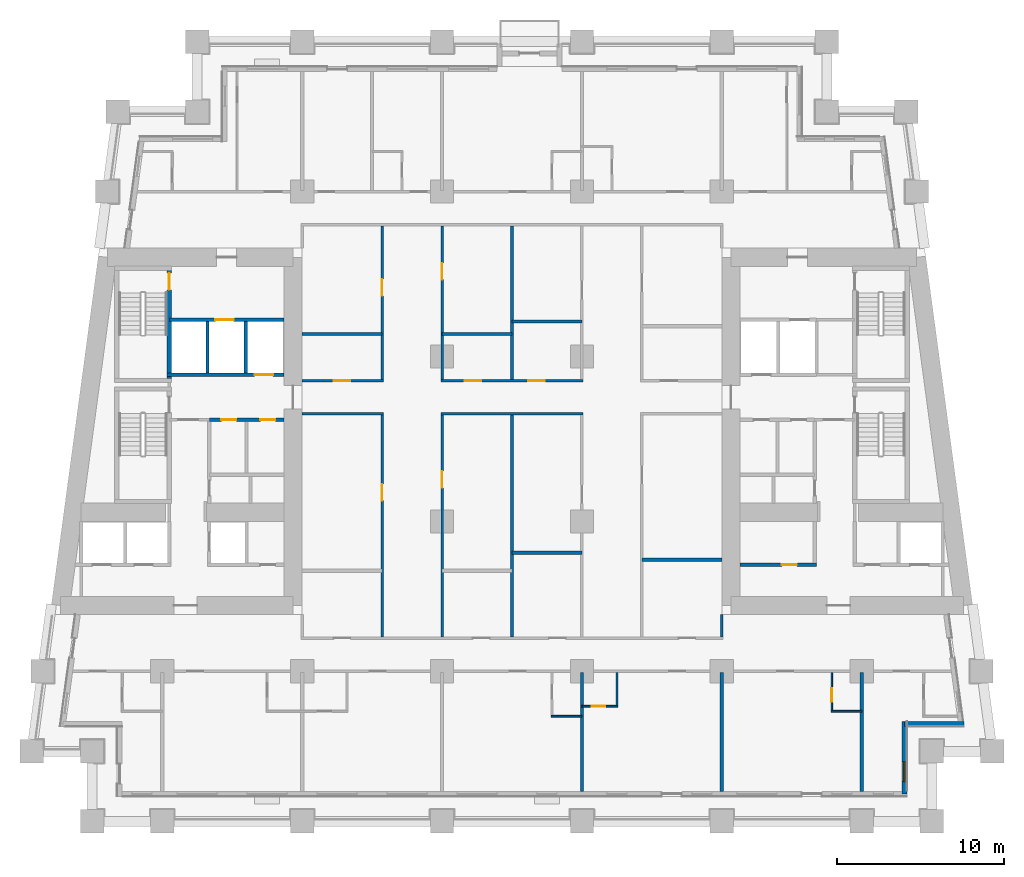
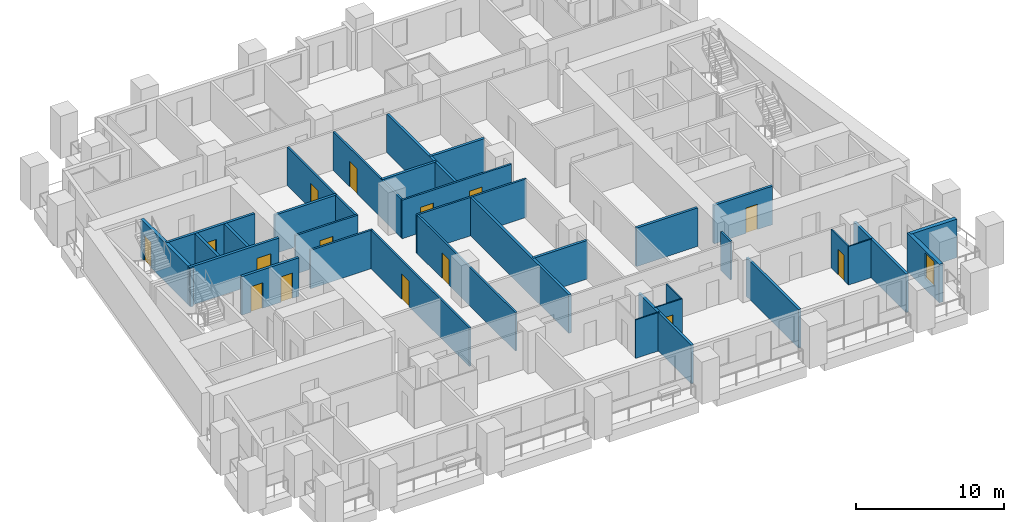
# One storey, part 4 of 13: 33 walls, 15 doors, 1 window, 16 openings.
"""IFC4 building model written with IfcOpenShell, lengths in metres."""

import ifcopenshell
import ifcopenshell.guid

model = None  # the IFC model being written
_history = None  # IfcOwnerHistory: only IFC2X3 demands one
_inside = {}  # id of a spatial element -> (the spatial element, [elements in it])
_under = {}  # id of a project, library or spatial element -> (it, [spatial elements below it])
_declared = {}  # id of a project -> (the project, [libraries it declares])
_typed = {}  # id of a type object -> (the type object, [elements of that type])
_made_of = {}  # id of a material, layer set ... -> (it, [elements and type objects made of it])


def new_model(schema):
    """Start an empty IFC model of exactly this schema.

    Asked for "IFC4X3", IfcOpenShell would pick the latest addendum, in which some entities
    have other attributes; the version numbers below select the first issue.
    IFC2X3 requires an IfcOwnerHistory on every rooted entity: one is made here for all.
    """
    global model, _history
    if schema == "IFC4X3":
        model = ifcopenshell.file(schema_version=(4, 3, 0, 0))
    else:
        model = ifcopenshell.file(schema=schema)
    _inside.clear()
    _under.clear()
    _declared.clear()
    _typed.clear()
    _made_of.clear()
    _history = None
    if model.schema == "IFC2X3":
        org = make("IfcOrganization", Name="unknown")
        user = make(
            "IfcPersonAndOrganization",
            ThePerson=make("IfcPerson", FamilyName="unknown"),
            TheOrganization=org,
        )
        app = make(
            "IfcApplication",
            ApplicationDeveloper=org,
            Version="unknown",
            ApplicationFullName="unknown",
            ApplicationIdentifier="unknown",
        )
        _history = make(
            "IfcOwnerHistory",
            OwningUser=user,
            OwningApplication=app,
            ChangeAction="ADDED",
            CreationDate=0,
        )
    return model


def make(cls, **values):
    """One entity of the class cls with the attributes given. An attribute that is None is left unset."""
    return model.create_entity(
        cls, **{name: value for name, value in values.items() if value is not None}
    )


def rooted(cls, **values):
    """An entity with a GlobalId (a new one), such as an element, a storey or a relation."""
    return make(cls, GlobalId=ifcopenshell.guid.new(), OwnerHistory=_history, **values)


def si_unit(unit_type, name, prefix=None):
    """IfcSIUnit, for example si_unit("LENGTHUNIT", "METRE", prefix="MILLI")."""
    return make("IfcSIUnit", UnitType=unit_type, Prefix=prefix, Name=name)


def assignment(units):
    """IfcUnitAssignment: the units of a project."""
    return None if units is None else make("IfcUnitAssignment", Units=units)


def point(xyz):
    """IfcCartesianPoint."""
    return None if xyz is None else make("IfcCartesianPoint", Coordinates=xyz)


def direction(xyz):
    """IfcDirection."""
    return None if xyz is None else make("IfcDirection", DirectionRatios=xyz)


def frame(location, z_axis=None, x_axis=None):
    """IfcAxis2Placement3D, a coordinate frame: its origin and axes. An axis left out is left unset."""
    return make(
        "IfcAxis2Placement3D",
        Location=point(location),
        Axis=direction(z_axis),
        RefDirection=direction(x_axis),
    )


def frame_2d(location, x_axis=None):
    """IfcAxis2Placement2D, a coordinate frame in the plane: its origin and x axis."""
    return make(
        "IfcAxis2Placement2D", Location=point(location), RefDirection=direction(x_axis)
    )


def origin():
    """The frame at (0, 0, 0) with its axes left unset."""
    return frame((0.0, 0.0, 0.0))


def place(relative_to, where):
    """IfcLocalPlacement: puts the frame where relative to a parent placement (None: the world)."""
    return make(
        "IfcLocalPlacement", PlacementRelTo=relative_to, RelativePlacement=where
    )


def context(
    kind, dimensions, precision=None, world=None, true_north=None, identifier=None
):
    """IfcGeometricRepresentationContext, for example the 3D "Model" context."""
    return make(
        "IfcGeometricRepresentationContext",
        ContextIdentifier=identifier,
        ContextType=kind,
        CoordinateSpaceDimension=dimensions,
        Precision=precision,
        WorldCoordinateSystem=world,
        TrueNorth=true_north,
    )


def subcontext(parent, identifier, kind, view, scale=None):
    """IfcGeometricRepresentationSubContext, for example "Body" below "Model"."""
    return make(
        "IfcGeometricRepresentationSubContext",
        ContextIdentifier=identifier,
        ContextType=kind,
        ParentContext=parent,
        TargetScale=scale,
        TargetView=view,
    )


def project(units=None, contexts=None):
    """IfcProject with its units and contexts."""
    return rooted(
        "IfcProject",
        Name="project",
        RepresentationContexts=contexts,
        UnitsInContext=assignment(units),
    )


def spatial(cls, under=None, at=None, **own):
    """A site, building, storey or space (cls), placed at a placement, below another one or the project."""
    s = rooted(cls, ObjectPlacement=at, **own)
    if under is not None:
        _under.setdefault(under.id(), (under, []))[1].append(s)
    return s


def profile(cls, at=None, kind="AREA", **sizes):
    """A parametric profile (cls). Its sizes go by their IFC names, for example OverallWidth=200.0."""
    return make(cls, ProfileType=kind, Position=at, **sizes)


def rectangle(**sizes):
    """IfcRectangleProfileDef."""
    return profile("IfcRectangleProfileDef", **sizes)


def extrude(swept, where, along, depth):
    """IfcExtrudedAreaSolid: the profile swept, set in the frame where, extruded along a direction by depth."""
    return make(
        "IfcExtrudedAreaSolid",
        SweptArea=swept,
        Position=where,
        ExtrudedDirection=direction(along),
        Depth=depth,
    )


def shape(context_of_items, identifier, shape_type, items):
    """IfcShapeRepresentation: the items that make up one representation, for example the "Body"."""
    return make(
        "IfcShapeRepresentation",
        ContextOfItems=context_of_items,
        RepresentationIdentifier=identifier,
        RepresentationType=shape_type,
        Items=items,
    )


def material(Name=None, Category=None):
    """IfcMaterial."""
    return make("IfcMaterial", Name=Name, Category=Category)


def layer(
    of_material, thickness, ventilated=None, Name=None, Category=None, Priority=None
):
    """IfcMaterialLayer: one layer of a wall or slab, of a material (None: an air gap)."""
    return make(
        "IfcMaterialLayer",
        Material=of_material,
        LayerThickness=thickness,
        IsVentilated=ventilated,
        Name=Name,
        Category=Category,
        Priority=Priority,
    )


def layer_set(layers, Name=None):
    """IfcMaterialLayerSet."""
    return make("IfcMaterialLayerSet", MaterialLayers=layers, LayerSetName=Name)


def made_of(thing, what):
    """Note that an element or type object is made of a material, layer set ...; save() writes the relation."""
    if what is not None:
        _made_of.setdefault(what.id(), (what, []))[1].append(thing)
    return thing


def type_object(cls, material=None, **own):
    """A type object (cls), such as IfcWallType, which elements share."""
    return made_of(rooted(cls, **own), material)


def element(
    cls,
    number,
    at=None,
    inside=None,
    cuts=None,
    type_object=None,
    material=None,
    context=None,
    identifier="Body",
    shape_type=None,
    held_by="IfcProductDefinitionShape",
    body=None,
    shapes=None,
    **own,
):
    """One element of the class cls, such as IfcWall. Its Tag is "e" and its number.

    at: its placement. inside: the storey or other place that contains it. cuts: it is an
    opening in that element (IfcRelVoidsElement). A single representation is given by context,
    identifier, shape_type and body (its items); several are given by shapes. held_by: the class
    of the entity that holds the representations. save() writes the other relations.
    """
    e = rooted(cls, Tag="e%d" % number, ObjectPlacement=at, **own)
    if body is not None:
        shapes = [shape(context, identifier, shape_type, body)]
    if shapes is not None:
        e.Representation = make(held_by, Representations=shapes)
    if inside is not None:
        _inside.setdefault(inside.id(), (inside, []))[1].append(e)
    if cuts is not None:
        rooted(
            "IfcRelVoidsElement", RelatingBuildingElement=cuts, RelatedOpeningElement=e
        )
    if type_object is not None:
        _typed.setdefault(type_object.id(), (type_object, []))[1].append(e)
    return made_of(e, material)


def fill(opening, filler):
    """IfcRelFillsElement: the door or window that sits in an opening."""
    return rooted(
        "IfcRelFillsElement",
        RelatingOpeningElement=opening,
        RelatedBuildingElement=filler,
    )


def aggregate(whole, parts):
    """IfcRelAggregates: a whole, such as a stair, and the parts it consists of."""
    return rooted("IfcRelAggregates", RelatingObject=whole, RelatedObjects=parts)


def save(model, path):
    """Write the relations noted so far, then the file.

    IfcRelAggregates (storeys below a building ...), IfcRelContainedInSpatialStructure (elements
    in a storey), IfcRelDefinesByType, IfcRelAssociatesMaterial and IfcRelDeclares: one each for
    every whole, place, type object, material and project.
    """
    for whole, parts in _under.values():
        aggregate(whole, parts)
    for where, things in _inside.values():
        rooted(
            "IfcRelContainedInSpatialStructure",
            RelatedElements=things,
            RelatingStructure=where,
        )
    for kind, things in _typed.values():
        rooted("IfcRelDefinesByType", RelatedObjects=things, RelatingType=kind)
    for what, things in _made_of.values():
        rooted("IfcRelAssociatesMaterial", RelatedObjects=things, RelatingMaterial=what)
    for by, libraries in _declared.values():
        rooted("IfcRelDeclares", RelatingContext=by, RelatedDefinitions=libraries)
    model.write(path)


model = new_model("IFC4")

# Units and contexts
model_context = context("Model", 3, precision=1e-05, world=origin(), true_north=direction((0.0, 1.0)))
body_context = subcontext(model_context, "Body", "Model", "MODEL_VIEW")
ifc_project = project(units=[si_unit("LENGTHUNIT", "METRE"), si_unit("AREAUNIT", "SQUARE_METRE"), si_unit("VOLUMEUNIT", "CUBIC_METRE"), si_unit("PLANEANGLEUNIT", "RADIAN"), si_unit("MASSUNIT", "GRAM", prefix="KILO")], contexts=[model_context])

# Site, building, storey
site_placement = place(None, origin())
site = spatial("IfcSite", under=ifc_project, at=site_placement, CompositionType="ELEMENT")
building_placement = place(site_placement, origin())
building = spatial("IfcBuilding", under=site, at=building_placement, Name="Candeia Pilgrim Tower and Theatre", CompositionType="ELEMENT")
storey_placement = place(building_placement, frame((0.0, 0.0, 63.5)))
storey = spatial("IfcBuildingStorey", under=building, at=storey_placement, Name="L13", CompositionType="ELEMENT", Elevation=63.5)

# Wall, opening, window
ifc_material_1 = material(Name="Ceramic block masonry", Category="masonry")
ifc_layer_1 = layer(ifc_material_1, 0.300048828125)
ifc_layer_set_1 = layer_set([ifc_layer_1], Name="EW1 glazing-line wall 300")
wall_type_1 = type_object("IfcWallType", Name="EW1 glazing-line wall 300", PredefinedType="SOLIDWALL", material=ifc_layer_set_1)
wall_1_placement = place(storey_placement, frame((136.949951171875, 99.64990234375, 0.0), z_axis=(0.0, 0.0, 1.0), x_axis=(0.0, 1.0, 0.0)))
wall_1 = element("IfcWall", 1, at=wall_1_placement, inside=storey, type_object=wall_type_1, Name="External wall L13-1.0", PredefinedType="SOLIDWALL", context=body_context, shape_type="SweptSolid", body=[
    extrude(rectangle(XDim=4.35009765625, YDim=0.300048828125, at=frame_2d((2.175048828125, 0.0))), origin(), (0.0, 0.0, 1.0), 3.179931640625),
])
opening_1_placement = place(wall_1_placement, frame((0.72509765625, 0.0, 0.89990234375)))
opening_1 = element("IfcOpeningElement", 2, at=opening_1_placement, cuts=wall_1, Name="Opening W-B", PredefinedType="OPENING", context=body_context, shape_type="SweptSolid", body=[
    extrude(rectangle(XDim=1.199951171875, YDim=2.10009765625, at=frame_2d((0.60009765625, 1.050048828125))), frame((0.0, 0.16015625, 0.0), z_axis=(0.0, -1.0, 0.0), x_axis=(1.0, 0.0, 0.0)), (0.0, 0.0, 1.0), 0.320068359375),
])
ifc_material_2 = material(Name="Aluminium framed double glazing", Category="aluminium")
window_type = type_object("IfcWindowType", Name="W-B window 1200x2100", PartitioningType="SINGLE_PANEL", PredefinedType="WINDOW", material=ifc_material_2)
window_placement = place(opening_1_placement, origin())
window = element("IfcWindow", 3, at=window_placement, inside=storey, type_object=window_type, Name="Window W-B L13", OverallHeight=2.10009765625, OverallWidth=1.199951171875, PartitioningType="SINGLE_PANEL", PredefinedType="WINDOW", context=body_context, shape_type="SweptSolid", body=[
    extrude(rectangle(XDim=1.199951171875, YDim=2.10009765625, at=frame_2d((0.60009765625, 1.050048828125))), frame((0.0, 0.030029296875, 0.0), z_axis=(0.0, -1.0, 0.0), x_axis=(1.0, 0.0, 0.0)), (0.0, 0.0, 1.0), 0.06005859375),
])
fill(opening_1, window)

# Walls
wall_2_placement = place(storey_placement, frame((136.949951171875, 103.85009765625, 0.0), z_axis=(0.0, 0.0, 1.0), x_axis=(1.0, 0.0, 0.0)))
element("IfcWall", 4, at=wall_2_placement, inside=storey, type_object=wall_type_1, Name="External wall L13-2.0", PredefinedType="SOLIDWALL", context=body_context, shape_type="SweptSolid", body=[
    extrude(rectangle(XDim=3.569091796875, YDim=0.300048828125, at=frame_2d((1.78466796875, 0.0))), origin(), (0.0, 0.0, 1.0), 3.179931640625),
])
ifc_material_3 = material(Name="Gypsum board partition on steel studs", Category="steel")
ifc_layer_2 = layer(ifc_material_3, 0.10009765625)
ifc_layer_set_2 = layer_set([ifc_layer_2], Name="PW-100 room partition")
wall_type_2 = type_object("IfcWallType", Name="PW-100 room partition", PredefinedType="PARTITIONING", material=ifc_layer_set_2)
wall_3_placement = place(storey_placement, frame((115.75, 104.300048828125, 0.0), z_axis=(0.0, 0.0, 1.0), x_axis=(1.0, 0.0, 0.0)))
element("IfcWall", 5, at=wall_3_placement, inside=storey, type_object=wall_type_2, Name="Room partition L13-001", PredefinedType="PARTITIONING", context=body_context, shape_type="SweptSolid", body=[
    extrude(rectangle(XDim=1.85009765625, YDim=0.10009765625, at=frame_2d((0.925048828125, 0.0))), origin(), (0.0, 0.0, 1.0), 3.179931640625),
])
wall_4_placement = place(storey_placement, frame((132.550048828125, 104.60009765625, 0.0), z_axis=(0.0, 0.0, 1.0), x_axis=(1.0, 0.0, 0.0)))
element("IfcWall", 6, at=wall_4_placement, inside=storey, type_object=wall_type_2, Name="Room partition L13-005", PredefinedType="PARTITIONING", context=body_context, shape_type="SweptSolid", body=[
    extrude(rectangle(XDim=1.849853515625, YDim=0.10009765625, at=frame_2d((0.9248046875, 0.0))), origin(), (0.0, 0.0, 1.0), 3.179931640625),
])

# Wall, opening, door
wall_5_placement = place(storey_placement, frame((117.60009765625, 104.89990234375, 0.0), z_axis=(0.0, 0.0, 1.0), x_axis=(1.0, 0.0, 0.0)))
wall_5 = element("IfcWall", 7, at=wall_5_placement, inside=storey, type_object=wall_type_2, Name="Room partition L13-006", PredefinedType="PARTITIONING", context=body_context, shape_type="SweptSolid", body=[
    extrude(rectangle(XDim=2.14990234375, YDim=0.10009765625, at=frame_2d((1.074951171875, 0.0))), origin(), (0.0, 0.0, 1.0), 3.179931640625),
])
opening_2_placement = place(wall_5_placement, frame((0.590087890625, 0.0, 0.0)))
opening_2 = element("IfcOpeningElement", 8, at=opening_2_placement, cuts=wall_5, Name="Opening L13-D025", PredefinedType="OPENING", context=body_context, shape_type="SweptSolid", body=[
    extrude(rectangle(XDim=0.800048828125, YDim=2.10009765625, at=frame_2d((0.39990234375, 1.050048828125))), frame((0.0, 0.06005859375, 0.0), z_axis=(0.0, -1.0, 0.0), x_axis=(1.0, 0.0, 0.0)), (0.0, 0.0, 1.0), 0.1201171875),
])
ifc_material_4 = material(Name="Timber door leaf", Category="wood")
door_type_1 = type_object("IfcDoorType", Name="D-800", OperationType="NOTDEFINED", PredefinedType="DOOR", material=ifc_material_4)
door_1_placement = place(opening_2_placement, origin())
door_1 = element("IfcDoor", 9, at=door_1_placement, inside=storey, type_object=door_type_1, Name="Door L13-D025", OperationType="SINGLE_SWING_RIGHT", OverallHeight=2.10009765625, OverallWidth=0.800048828125, PredefinedType="DOOR", context=body_context, shape_type="SweptSolid", body=[
    extrude(rectangle(XDim=0.800048828125, YDim=2.10009765625, at=frame_2d((0.39990234375, 1.050048828125))), frame((0.0, 0.02490234375, 0.0), z_axis=(0.0, -1.0, 0.0), x_axis=(1.0, 0.0, 0.0)), (0.0, 0.0, 1.0), 0.050048828125),
])
fill(opening_2, door_1)

# Wall
wall_6_placement = place(storey_placement, frame((119.699951171875, 104.949951171875, 0.0), z_axis=(0.0, 0.0, 1.0), x_axis=(0.0, 1.0, 0.0)))
element("IfcWall", 10, at=wall_6_placement, inside=storey, type_object=wall_type_2, Name="Room partition L13-099", PredefinedType="PARTITIONING", context=body_context, shape_type="SweptSolid", body=[
    extrude(rectangle(XDim=1.97509765625, YDim=0.10009765625, at=frame_2d((0.987548828125, 0.0))), origin(), (0.0, 0.0, 1.0), 3.179931640625),
])

# Wall, opening, door
wall_7_placement = place(storey_placement, frame((132.60009765625, 104.64990234375, 0.0), z_axis=(0.0, 0.0, 1.0), x_axis=(0.0, 1.0, 0.0)))
wall_7 = element("IfcWall", 11, at=wall_7_placement, inside=storey, type_object=wall_type_2, Name="Room partition L13-114", PredefinedType="PARTITIONING", context=body_context, shape_type="SweptSolid", body=[
    extrude(rectangle(XDim=2.275146484375, YDim=0.10009765625, at=frame_2d((1.1376953125, 0.0))), origin(), (0.0, 0.0, 1.0), 3.179931640625),
])
opening_3_placement = place(wall_7_placement, frame((0.52490234375, 0.0, 0.0)))
opening_3 = element("IfcOpeningElement", 12, at=opening_3_placement, cuts=wall_7, Name="Opening L13-D027", PredefinedType="OPENING", context=body_context, shape_type="SweptSolid", body=[
    extrude(rectangle(XDim=0.800048828125, YDim=2.10009765625, at=frame_2d((0.39990234375, 1.050048828125))), frame((0.0, 0.06005859375, 0.0), z_axis=(0.0, -1.0, 0.0), x_axis=(1.0, 0.0, 0.0)), (0.0, 0.0, 1.0), 0.1201171875),
])
door_2_placement = place(opening_3_placement, origin())
door_2 = element("IfcDoor", 13, at=door_2_placement, inside=storey, type_object=door_type_1, Name="Door L13-D027", OperationType="SINGLE_SWING_RIGHT", OverallHeight=2.10009765625, OverallWidth=0.800048828125, PredefinedType="DOOR", context=body_context, shape_type="SweptSolid", body=[
    extrude(rectangle(XDim=0.800048828125, YDim=2.10009765625, at=frame_2d((0.39990234375, 1.050048828125))), frame((0.0, 0.02490234375, 0.0), z_axis=(0.0, -1.0, 0.0), x_axis=(1.0, 0.0, 0.0)), (0.0, 0.0, 1.0), 0.050048828125),
])
fill(opening_3, door_2)

# Walls
ifc_layer_3 = layer(ifc_material_3, 0.14990234375)
ifc_layer_set_3 = layer_set([ifc_layer_3], Name="PW-150 unit wall")
wall_type_3 = type_object("IfcWallType", Name="PW-150 unit wall", PredefinedType="PARTITIONING", material=ifc_layer_set_3)
wall_8_placement = place(storey_placement, frame((100.800048828125, 122.449951171875, 0.0), z_axis=(0.0, 0.0, 1.0), x_axis=(1.0, 0.0, 0.0)))
element("IfcWall", 14, at=wall_8_placement, inside=storey, type_object=wall_type_3, Name="Unit wall L13-025", PredefinedType="PARTITIONING", context=body_context, shape_type="SweptSolid", body=[
    extrude(rectangle(XDim=4.875, YDim=0.14990234375, at=frame_2d((2.4375, 0.0))), origin(), (0.0, 0.0, 1.0), 3.179931640625),
])
wall_9_placement = place(storey_placement, frame((109.125, 122.449951171875, 0.0), z_axis=(0.0, 0.0, 1.0), x_axis=(1.0, 0.0, 0.0)))
element("IfcWall", 15, at=wall_9_placement, inside=storey, type_object=wall_type_3, Name="Unit wall L13-026", PredefinedType="PARTITIONING", context=body_context, shape_type="SweptSolid", body=[
    extrude(rectangle(XDim=8.550048828125, YDim=0.14990234375, at=frame_2d((4.27490234375, 0.0))), origin(), (0.0, 0.0, 1.0), 3.179931640625),
])

# Wall, opening, door
wall_10_placement = place(storey_placement, frame((100.800048828125, 124.449951171875, 0.0), z_axis=(0.0, 0.0, 1.0), x_axis=(1.0, 0.0, 0.0)))
wall_10 = element("IfcWall", 16, at=wall_10_placement, inside=storey, type_object=wall_type_3, Name="Unit wall L13-032", PredefinedType="PARTITIONING", context=body_context, shape_type="SweptSolid", body=[
    extrude(rectangle(XDim=4.875, YDim=0.14990234375, at=frame_2d((2.4375, 0.0))), origin(), (0.0, 0.0, 1.0), 3.179931640625),
])
opening_4_placement = place(wall_10_placement, frame((1.89990234375, 0.0, 0.0)))
opening_4 = element("IfcOpeningElement", 17, at=opening_4_placement, cuts=wall_10, Name="Opening L13-D045", PredefinedType="OPENING", context=body_context, shape_type="SweptSolid", body=[
    extrude(rectangle(XDim=1.0, YDim=2.10009765625, at=frame_2d((0.5, 1.050048828125))), frame((0.0, 0.0849609375, 0.0), z_axis=(0.0, -1.0, 0.0), x_axis=(1.0, 0.0, 0.0)), (0.0, 0.0, 1.0), 0.169921875),
])
ifc_material_5 = material(Name="Steel fire door set", Category="steel")
door_type_2 = type_object("IfcDoorType", Name="D-1000-FD30S", OperationType="NOTDEFINED", PredefinedType="DOOR", material=ifc_material_5)
door_3_placement = place(opening_4_placement, origin())
door_3 = element("IfcDoor", 18, at=door_3_placement, inside=storey, type_object=door_type_2, Name="Door L13-D045", OperationType="SINGLE_SWING_RIGHT", OverallHeight=2.10009765625, OverallWidth=1.0, PredefinedType="DOOR", context=body_context, shape_type="SweptSolid", body=[
    extrude(rectangle(XDim=1.0, YDim=2.10009765625, at=frame_2d((0.5, 1.050048828125))), frame((0.0, 0.02490234375, 0.0), z_axis=(0.0, -1.0, 0.0), x_axis=(1.0, 0.0, 0.0)), (0.0, 0.0, 1.0), 0.050048828125),
])
fill(opening_4, door_3)

# Wall, openings, doors
wall_11_placement = place(storey_placement, frame((109.125, 124.449951171875, 0.0), z_axis=(0.0, 0.0, 1.0), x_axis=(1.0, 0.0, 0.0)))
wall_11 = element("IfcWall", 19, at=wall_11_placement, inside=storey, type_object=wall_type_3, Name="Unit wall L13-033", PredefinedType="PARTITIONING", context=body_context, shape_type="SweptSolid", body=[
    extrude(rectangle(XDim=8.550048828125, YDim=0.14990234375, at=frame_2d((4.27490234375, 0.0))), origin(), (0.0, 0.0, 1.0), 3.179931640625),
])
opening_5_placement = place(wall_11_placement, frame((1.425048828125, 0.0, 0.0)))
opening_5 = element("IfcOpeningElement", 20, at=opening_5_placement, cuts=wall_11, Name="Opening L13-D049", PredefinedType="OPENING", context=body_context, shape_type="SweptSolid", body=[
    extrude(rectangle(XDim=1.0, YDim=2.10009765625, at=frame_2d((0.5, 1.050048828125))), frame((0.0, 0.0849609375, 0.0), z_axis=(0.0, -1.0, 0.0), x_axis=(1.0, 0.0, 0.0)), (0.0, 0.0, 1.0), 0.169921875),
])
opening_6_placement = place(wall_11_placement, frame((5.25, 0.0, 0.0)))
opening_6 = element("IfcOpeningElement", 21, at=opening_6_placement, cuts=wall_11, Name="Opening L13-D053", PredefinedType="OPENING", context=body_context, shape_type="SweptSolid", body=[
    extrude(rectangle(XDim=1.0, YDim=2.10009765625, at=frame_2d((0.5, 1.050048828125))), frame((0.0, 0.0849609375, 0.0), z_axis=(0.0, -1.0, 0.0), x_axis=(1.0, 0.0, 0.0)), (0.0, 0.0, 1.0), 0.169921875),
])
door_4_placement = place(opening_5_placement, origin())
door_4 = element("IfcDoor", 22, at=door_4_placement, inside=storey, type_object=door_type_2, Name="Door L13-D049", OperationType="SINGLE_SWING_RIGHT", OverallHeight=2.10009765625, OverallWidth=1.0, PredefinedType="DOOR", context=body_context, shape_type="SweptSolid", body=[
    extrude(rectangle(XDim=1.0, YDim=2.10009765625, at=frame_2d((0.5, 1.050048828125))), frame((0.0, 0.02490234375, 0.0), z_axis=(0.0, -1.0, 0.0), x_axis=(1.0, 0.0, 0.0)), (0.0, 0.0, 1.0), 0.050048828125),
])
fill(opening_5, door_4)
door_5_placement = place(opening_6_placement, origin())
door_5 = element("IfcDoor", 23, at=door_5_placement, inside=storey, type_object=door_type_2, Name="Door L13-D053", OperationType="SINGLE_SWING_RIGHT", OverallHeight=2.10009765625, OverallWidth=1.0, PredefinedType="DOOR", context=body_context, shape_type="SweptSolid", body=[
    extrude(rectangle(XDim=1.0, YDim=2.10009765625, at=frame_2d((0.5, 1.050048828125))), frame((0.0, 0.02490234375, 0.0), z_axis=(0.0, -1.0, 0.0), x_axis=(1.0, 0.0, 0.0)), (0.0, 0.0, 1.0), 0.050048828125),
])
fill(opening_6, door_5)

# Wall, opening, door
wall_12_placement = place(storey_placement, frame((105.60009765625, 109.074951171875, 0.0), z_axis=(0.0, 0.0, 1.0), x_axis=(0.0, 1.0, 0.0)))
wall_12 = element("IfcWall", 24, at=wall_12_placement, inside=storey, type_object=wall_type_3, Name="Unit wall L13-083", PredefinedType="PARTITIONING", context=body_context, shape_type="SweptSolid", body=[
    extrude(rectangle(XDim=13.300048828125, YDim=0.14990234375, at=frame_2d((6.64990234375, 0.0))), origin(), (0.0, 0.0, 1.0), 3.179931640625),
])
opening_7_placement = place(wall_12_placement, frame((8.1669921875, 0.0, 0.0)))
opening_7 = element("IfcOpeningElement", 25, at=opening_7_placement, cuts=wall_12, Name="Opening L13-D044", PredefinedType="OPENING", context=body_context, shape_type="SweptSolid", body=[
    extrude(rectangle(XDim=1.0, YDim=2.10009765625, at=frame_2d((0.5, 1.050048828125))), frame((0.0, 0.0849609375, 0.0), z_axis=(0.0, -1.0, 0.0), x_axis=(1.0, 0.0, 0.0)), (0.0, 0.0, 1.0), 0.169921875),
])
door_6_placement = place(opening_7_placement, origin())
door_6 = element("IfcDoor", 26, at=door_6_placement, inside=storey, type_object=door_type_2, Name="Door L13-D044", OperationType="SINGLE_SWING_LEFT", OverallHeight=2.10009765625, OverallWidth=1.0, PredefinedType="DOOR", context=body_context, shape_type="SweptSolid", body=[
    extrude(rectangle(XDim=1.0, YDim=2.10009765625, at=frame_2d((0.5, 1.050048828125))), frame((0.0, 0.02490234375, 0.0), z_axis=(0.0, -1.0, 0.0), x_axis=(1.0, 0.0, 0.0)), (0.0, 0.0, 1.0), 0.050048828125),
])
fill(opening_7, door_6)

wall_13_placement = place(storey_placement, frame((105.60009765625, 124.52490234375, 0.0), z_axis=(0.0, 0.0, 1.0), x_axis=(0.0, 1.0, 0.0)))
wall_13 = element("IfcWall", 27, at=wall_13_placement, inside=storey, type_object=wall_type_3, Name="Unit wall L13-084", PredefinedType="PARTITIONING", context=body_context, shape_type="SweptSolid", body=[
    extrude(rectangle(XDim=9.2001953125, YDim=0.14990234375, at=frame_2d((4.60009765625, 0.0))), origin(), (0.0, 0.0, 1.0), 3.179931640625),
])
opening_8_placement = place(wall_13_placement, frame((5.01806640625, 0.0, 0.0)))
opening_8 = element("IfcOpeningElement", 28, at=opening_8_placement, cuts=wall_13, Name="Opening L13-D046", PredefinedType="OPENING", context=body_context, shape_type="SweptSolid", body=[
    extrude(rectangle(XDim=1.0, YDim=2.10009765625, at=frame_2d((0.5, 1.050048828125))), frame((0.0, 0.0849609375, 0.0), z_axis=(0.0, -1.0, 0.0), x_axis=(1.0, 0.0, 0.0)), (0.0, 0.0, 1.0), 0.169921875),
])
door_7_placement = place(opening_8_placement, origin())
door_7 = element("IfcDoor", 29, at=door_7_placement, inside=storey, type_object=door_type_2, Name="Door L13-D046", OperationType="SINGLE_SWING_LEFT", OverallHeight=2.10009765625, OverallWidth=1.0, PredefinedType="DOOR", context=body_context, shape_type="SweptSolid", body=[
    extrude(rectangle(XDim=1.0, YDim=2.10009765625, at=frame_2d((0.5, 1.050048828125))), frame((0.0, 0.02490234375, 0.0), z_axis=(0.0, -1.0, 0.0), x_axis=(1.0, 0.0, 0.0)), (0.0, 0.0, 1.0), 0.050048828125),
])
fill(opening_8, door_7)

wall_14_placement = place(storey_placement, frame((109.199951171875, 109.074951171875, 0.0), z_axis=(0.0, 0.0, 1.0), x_axis=(0.0, 1.0, 0.0)))
wall_14 = element("IfcWall", 30, at=wall_14_placement, inside=storey, type_object=wall_type_3, Name="Unit wall L13-088", PredefinedType="PARTITIONING", context=body_context, shape_type="SweptSolid", body=[
    extrude(rectangle(XDim=13.300048828125, YDim=0.14990234375, at=frame_2d((6.64990234375, 0.0))), origin(), (0.0, 0.0, 1.0), 3.179931640625),
])
opening_9_placement = place(wall_14_placement, frame((8.93896484375, 0.0, 0.0)))
opening_9 = element("IfcOpeningElement", 31, at=opening_9_placement, cuts=wall_14, Name="Opening L13-D048", PredefinedType="OPENING", context=body_context, shape_type="SweptSolid", body=[
    extrude(rectangle(XDim=1.0, YDim=2.10009765625, at=frame_2d((0.5, 1.050048828125))), frame((0.0, 0.0849609375, 0.0), z_axis=(0.0, -1.0, 0.0), x_axis=(1.0, 0.0, 0.0)), (0.0, 0.0, 1.0), 0.169921875),
])
door_8_placement = place(opening_9_placement, origin())
door_8 = element("IfcDoor", 32, at=door_8_placement, inside=storey, type_object=door_type_2, Name="Door L13-D048", OperationType="SINGLE_SWING_LEFT", OverallHeight=2.10009765625, OverallWidth=1.0, PredefinedType="DOOR", context=body_context, shape_type="SweptSolid", body=[
    extrude(rectangle(XDim=1.0, YDim=2.10009765625, at=frame_2d((0.5, 1.050048828125))), frame((0.0, 0.02490234375, 0.0), z_axis=(0.0, -1.0, 0.0), x_axis=(1.0, 0.0, 0.0)), (0.0, 0.0, 1.0), 0.050048828125),
])
fill(opening_9, door_8)

wall_15_placement = place(storey_placement, frame((109.199951171875, 124.52490234375, 0.0), z_axis=(0.0, 0.0, 1.0), x_axis=(0.0, 1.0, 0.0)))
wall_15 = element("IfcWall", 33, at=wall_15_placement, inside=storey, type_object=wall_type_3, Name="Unit wall L13-089", PredefinedType="PARTITIONING", context=body_context, shape_type="SweptSolid", body=[
    extrude(rectangle(XDim=9.2001953125, YDim=0.14990234375, at=frame_2d((4.60009765625, 0.0))), origin(), (0.0, 0.0, 1.0), 3.179931640625),
])
opening_10_placement = place(wall_15_placement, frame((5.987060546875, 0.0, 0.0)))
opening_10 = element("IfcOpeningElement", 34, at=opening_10_placement, cuts=wall_15, Name="Opening L13-D050", PredefinedType="OPENING", context=body_context, shape_type="SweptSolid", body=[
    extrude(rectangle(XDim=1.0, YDim=2.10009765625, at=frame_2d((0.5, 1.050048828125))), frame((0.0, 0.0849609375, 0.0), z_axis=(0.0, -1.0, 0.0), x_axis=(1.0, 0.0, 0.0)), (0.0, 0.0, 1.0), 0.169921875),
])
door_9_placement = place(opening_10_placement, origin())
door_9 = element("IfcDoor", 35, at=door_9_placement, inside=storey, type_object=door_type_2, Name="Door L13-D050", OperationType="SINGLE_SWING_LEFT", OverallHeight=2.10009765625, OverallWidth=1.0, PredefinedType="DOOR", context=body_context, shape_type="SweptSolid", body=[
    extrude(rectangle(XDim=1.0, YDim=2.10009765625, at=frame_2d((0.5, 1.050048828125))), frame((0.0, 0.02490234375, 0.0), z_axis=(0.0, -1.0, 0.0), x_axis=(1.0, 0.0, 0.0)), (0.0, 0.0, 1.0), 0.050048828125),
])
fill(opening_10, door_9)

# Walls
wall_16_placement = place(storey_placement, frame((126.0, 109.074951171875, 0.0), z_axis=(0.0, 0.0, 1.0), x_axis=(0.0, 1.0, 0.0)))
element("IfcWall", 36, at=wall_16_placement, inside=storey, type_object=wall_type_3, Name="Unit wall L13-104", PredefinedType="PARTITIONING", context=body_context, shape_type="SweptSolid", body=[
    extrude(rectangle(XDim=1.324951171875, YDim=0.14990234375, at=frame_2d((0.66259765625, 0.0))), origin(), (0.0, 0.0, 1.0), 3.179931640625),
])
ifc_layer_4 = layer(ifc_material_3, 0.199951171875)
ifc_layer_set_4 = layer_set([ifc_layer_4], Name="PW-200 party wall")
wall_type_4 = type_object("IfcWallType", Name="PW-200 party wall", PredefinedType="PARTITIONING", material=ifc_layer_set_4)
wall_17_placement = place(storey_placement, frame((121.199951171875, 113.70751953125, 0.0), z_axis=(0.0, 0.0, 1.0), x_axis=(1.0, 0.0, 0.0)))
element("IfcWall", 37, at=wall_17_placement, inside=storey, type_object=wall_type_4, Name="Party wall L13-015", PredefinedType="PARTITIONING", context=body_context, shape_type="SweptSolid", body=[
    extrude(rectangle(XDim=4.800048828125, YDim=0.199951171875, at=frame_2d((2.39990234375, 0.0))), origin(), (0.0, 0.0, 1.0), 3.179931640625),
])
wall_18_placement = place(storey_placement, frame((113.39990234375, 114.111083984375, 0.0), z_axis=(0.0, 0.0, 1.0), x_axis=(1.0, 0.0, 0.0)))
element("IfcWall", 38, at=wall_18_placement, inside=storey, type_object=wall_type_4, Name="Party wall L13-016", PredefinedType="PARTITIONING", context=body_context, shape_type="SweptSolid", body=[
    extrude(rectangle(XDim=4.2001953125, YDim=0.199951171875, at=frame_2d((2.10009765625, 0.0))), origin(), (0.0, 0.0, 1.0), 3.179931640625),
])
wall_19_placement = place(storey_placement, frame((100.800048828125, 127.2548828125, 0.0), z_axis=(0.0, 0.0, 1.0), x_axis=(1.0, 0.0, 0.0)))
element("IfcWall", 39, at=wall_19_placement, inside=storey, type_object=wall_type_4, Name="Party wall L13-038", PredefinedType="PARTITIONING", context=body_context, shape_type="SweptSolid", body=[
    extrude(rectangle(XDim=4.800048828125, YDim=0.199951171875, at=frame_2d((2.39990234375, 0.0))), origin(), (0.0, 0.0, 1.0), 3.179931640625),
])
wall_20_placement = place(storey_placement, frame((109.199951171875, 127.2548828125, 0.0), z_axis=(0.0, 0.0, 1.0), x_axis=(1.0, 0.0, 0.0)))
element("IfcWall", 40, at=wall_20_placement, inside=storey, type_object=wall_type_4, Name="Party wall L13-039", PredefinedType="PARTITIONING", context=body_context, shape_type="SweptSolid", body=[
    extrude(rectangle(XDim=4.199951171875, YDim=0.199951171875, at=frame_2d((2.10009765625, 0.0))), origin(), (0.0, 0.0, 1.0), 3.179931640625),
])
wall_21_placement = place(storey_placement, frame((113.39990234375, 128.0029296875, 0.0), z_axis=(0.0, 0.0, 1.0), x_axis=(1.0, 0.0, 0.0)))
element("IfcWall", 41, at=wall_21_placement, inside=storey, type_object=wall_type_4, Name="Party wall L13-041", PredefinedType="PARTITIONING", context=body_context, shape_type="SweptSolid", body=[
    extrude(rectangle(XDim=4.2001953125, YDim=0.199951171875, at=frame_2d((2.10009765625, 0.0))), origin(), (0.0, 0.0, 1.0), 3.179931640625),
])
wall_22_placement = place(storey_placement, frame((113.39990234375, 109.074951171875, 0.0), z_axis=(0.0, 0.0, 1.0), x_axis=(0.0, 1.0, 0.0)))
element("IfcWall", 42, at=wall_22_placement, inside=storey, type_object=wall_type_4, Name="Party wall L13-090", PredefinedType="PARTITIONING", context=body_context, shape_type="SweptSolid", body=[
    extrude(rectangle(XDim=13.300048828125, YDim=0.199951171875, at=frame_2d((6.64990234375, 0.0))), origin(), (0.0, 0.0, 1.0), 3.179931640625),
])
wall_23_placement = place(storey_placement, frame((113.39990234375, 124.52490234375, 0.0), z_axis=(0.0, 0.0, 1.0), x_axis=(0.0, 1.0, 0.0)))
element("IfcWall", 43, at=wall_23_placement, inside=storey, type_object=wall_type_4, Name="Party wall L13-091", PredefinedType="PARTITIONING", context=body_context, shape_type="SweptSolid", body=[
    extrude(rectangle(XDim=9.2001953125, YDim=0.199951171875, at=frame_2d((4.60009765625, 0.0))), origin(), (0.0, 0.0, 1.0), 3.179931640625),
])
for number, where, z_axis, x_axis, name in (
    (44, (117.60009765625, 99.7900390625, 0.0), (0.0, 0.0, 1.0), (0.0, 1.0, 0.0), "Party wall L13-094"),
    (45, (126.0, 99.7900390625, 0.0), (0.0, 0.0, 1.0), (0.0, 1.0, 0.0), "Party wall L13-102"),
    (46, (134.39990234375, 99.7900390625, 0.0), (0.0, 0.0, 1.0), (0.0, 1.0, 0.0), "Party wall L13-121"),
):
    element("IfcWall", number, at=place(storey_placement, frame(where, z_axis=z_axis, x_axis=x_axis)), inside=storey, type_object=wall_type_4, Name=name, PredefinedType="PARTITIONING", context=body_context, shape_type="SweptSolid", body=[
        extrude(rectangle(XDim=7.135009765625, YDim=0.199951171875, at=frame_2d((3.5673828125, 0.0))), origin(), (0.0, 0.0, 1.0), 3.179931640625),
    ])

# Wall, opening, door
ifc_material_6 = material(Name="Concrete C40/50", Category="concrete")
ifc_layer_5 = layer(ifc_material_6, 0.199951171875)
ifc_layer_set_5 = layer_set([ifc_layer_5], Name="SW-200 shaft wall")
wall_type_5 = type_object("IfcWallType", Name="SW-200 shaft wall", PredefinedType="PARTITIONING", material=ifc_layer_set_5)
wall_24_placement = place(storey_placement, frame((127.10009765625, 113.39990234375, 0.0), z_axis=(0.0, 0.0, 1.0), x_axis=(1.0, 0.0, 0.0)))
wall_24 = element("IfcWall", 47, at=wall_24_placement, inside=storey, type_object=wall_type_5, Name="Shaft wall L13-013", PredefinedType="PARTITIONING", context=body_context, shape_type="SweptSolid", body=[
    extrude(rectangle(XDim=4.572998046875, YDim=0.199951171875, at=frame_2d((2.28662109375, 0.0))), origin(), (0.0, 0.0, 1.0), 3.179931640625),
])
opening_11_placement = place(wall_24_placement, frame((2.5048828125, 0.0, 0.0)))
opening_11 = element("IfcOpeningElement", 48, at=opening_11_placement, cuts=wall_24, Name="Opening L13-D015", PredefinedType="OPENING", context=body_context, shape_type="SweptSolid", body=[
    extrude(rectangle(XDim=0.89990234375, YDim=2.10009765625, at=frame_2d((0.449951171875, 1.050048828125))), frame((0.0, 0.10986328125, 0.0), z_axis=(0.0, -1.0, 0.0), x_axis=(1.0, 0.0, 0.0)), (0.0, 0.0, 1.0), 0.219970703125),
])
door_type_3 = type_object("IfcDoorType", Name="D-900-FD60", OperationType="NOTDEFINED", PredefinedType="DOOR", material=ifc_material_5)
door_10_placement = place(opening_11_placement, origin())
door_10 = element("IfcDoor", 49, at=door_10_placement, inside=storey, type_object=door_type_3, Name="Door L13-D015", OperationType="SINGLE_SWING_RIGHT", OverallHeight=2.10009765625, OverallWidth=0.89990234375, PredefinedType="DOOR", context=body_context, shape_type="SweptSolid", body=[
    extrude(rectangle(XDim=0.89990234375, YDim=2.10009765625, at=frame_2d((0.449951171875, 1.050048828125))), frame((0.0, 0.02490234375, 0.0), z_axis=(0.0, -1.0, 0.0), x_axis=(1.0, 0.0, 0.0)), (0.0, 0.0, 1.0), 0.050048828125),
])
fill(opening_11, door_10)

# Wall, openings, doors
wall_25_placement = place(storey_placement, frame((95.22705078125, 122.10009765625, 0.0), z_axis=(0.0, 0.0, 1.0), x_axis=(1.0, 0.0, 0.0)))
wall_25 = element("IfcWall", 50, at=wall_25_placement, inside=storey, type_object=wall_type_5, Name="Shaft wall L13-021", PredefinedType="PARTITIONING", context=body_context, shape_type="SweptSolid", body=[
    extrude(rectangle(XDim=4.472900390625, YDim=0.199951171875, at=frame_2d((2.236328125, 0.0))), origin(), (0.0, 0.0, 1.0), 3.179931640625),
])
opening_12_placement = place(wall_25_placement, frame((0.73193359375, 0.0, 0.0)))
opening_12 = element("IfcOpeningElement", 51, at=opening_12_placement, cuts=wall_25, Name="Opening L13-D002", PredefinedType="OPENING", context=body_context, shape_type="SweptSolid", body=[
    extrude(rectangle(XDim=0.89990234375, YDim=2.10009765625, at=frame_2d((0.449951171875, 1.050048828125))), frame((0.0, 0.10986328125, 0.0), z_axis=(0.0, -1.0, 0.0), x_axis=(1.0, 0.0, 0.0)), (0.0, 0.0, 1.0), 0.219970703125),
])
opening_13_placement = place(wall_25_placement, frame((3.06396484375, 0.0, 0.0)))
opening_13 = element("IfcOpeningElement", 52, at=opening_13_placement, cuts=wall_25, Name="Opening L13-D003", PredefinedType="OPENING", context=body_context, shape_type="SweptSolid", body=[
    extrude(rectangle(XDim=0.89990234375, YDim=2.10009765625, at=frame_2d((0.449951171875, 1.050048828125))), frame((0.0, 0.10986328125, 0.0), z_axis=(0.0, -1.0, 0.0), x_axis=(1.0, 0.0, 0.0)), (0.0, 0.0, 1.0), 0.219970703125),
])
door_11_placement = place(opening_12_placement, origin())
door_11 = element("IfcDoor", 53, at=door_11_placement, inside=storey, type_object=door_type_3, Name="Door L13-D002", OperationType="SINGLE_SWING_LEFT", OverallHeight=2.10009765625, OverallWidth=0.89990234375, PredefinedType="DOOR", context=body_context, shape_type="SweptSolid", body=[
    extrude(rectangle(XDim=0.89990234375, YDim=2.10009765625, at=frame_2d((0.449951171875, 1.050048828125))), frame((0.0, 0.02490234375, 0.0), z_axis=(0.0, -1.0, 0.0), x_axis=(1.0, 0.0, 0.0)), (0.0, 0.0, 1.0), 0.050048828125),
])
fill(opening_12, door_11)
door_12_placement = place(opening_13_placement, origin())
door_12 = element("IfcDoor", 54, at=door_12_placement, inside=storey, type_object=door_type_3, Name="Door L13-D003", OperationType="SINGLE_SWING_RIGHT", OverallHeight=2.10009765625, OverallWidth=0.89990234375, PredefinedType="DOOR", context=body_context, shape_type="SweptSolid", body=[
    extrude(rectangle(XDim=0.89990234375, YDim=2.10009765625, at=frame_2d((0.449951171875, 1.050048828125))), frame((0.0, 0.02490234375, 0.0), z_axis=(0.0, -1.0, 0.0), x_axis=(1.0, 0.0, 0.0)), (0.0, 0.0, 1.0), 0.050048828125),
])
fill(opening_13, door_12)

# Wall, opening, door
wall_26_placement = place(storey_placement, frame((92.701904296875, 124.800048828125, 0.0), z_axis=(0.0, 0.0, 1.0), x_axis=(1.0, 0.0, 0.0)))
wall_26 = element("IfcWall", 55, at=wall_26_placement, inside=storey, type_object=wall_type_5, Name="Shaft wall L13-035", PredefinedType="PARTITIONING", context=body_context, shape_type="SweptSolid", body=[
    extrude(rectangle(XDim=6.998046875, YDim=0.199951171875, at=frame_2d((3.4990234375, 0.0))), origin(), (0.0, 0.0, 1.0), 3.179931640625),
])
opening_14_placement = place(wall_26_placement, frame((5.2529296875, 0.0, 0.0)))
opening_14 = element("IfcOpeningElement", 56, at=opening_14_placement, cuts=wall_26, Name="Opening L13-LD02", PredefinedType="OPENING", context=body_context, shape_type="SweptSolid", body=[
    extrude(rectangle(XDim=1.10009765625, YDim=2.10009765625, at=frame_2d((0.550048828125, 1.050048828125))), frame((0.0, 0.10986328125, 0.0), z_axis=(0.0, -1.0, 0.0), x_axis=(1.0, 0.0, 0.0)), (0.0, 0.0, 1.0), 0.219970703125),
])
ifc_material_7 = material(Name="Glazed aluminium landing door", Category="aluminium")
door_type_4 = type_object("IfcDoorType", Name="LD-1100-EI120", OperationType="SLIDING_TO_LEFT", PredefinedType="DOOR", material=ifc_material_7)
door_13_placement = place(opening_14_placement, origin())
door_13 = element("IfcDoor", 57, at=door_13_placement, inside=storey, type_object=door_type_4, Name="Landing door 02 L13", OperationType="SLIDING_TO_LEFT", OverallHeight=2.10009765625, OverallWidth=1.10009765625, PredefinedType="DOOR", context=body_context, shape_type="SweptSolid", body=[
    extrude(rectangle(XDim=1.10009765625, YDim=2.10009765625, at=frame_2d((0.550048828125, 1.050048828125))), frame((0.0, 0.02490234375, 0.0), z_axis=(0.0, -1.0, 0.0), x_axis=(1.0, 0.0, 0.0)), (0.0, 0.0, 1.0), 0.050048828125),
])
fill(opening_14, door_13)

wall_27_placement = place(storey_placement, frame((92.826904296875, 128.10009765625, 0.0), z_axis=(0.0, 0.0, 1.0), x_axis=(1.0, 0.0, 0.0)))
wall_27 = element("IfcWall", 58, at=wall_27_placement, inside=storey, type_object=wall_type_5, Name="Shaft wall L13-042", PredefinedType="PARTITIONING", context=body_context, shape_type="SweptSolid", body=[
    extrude(rectangle(XDim=6.873046875, YDim=0.199951171875, at=frame_2d((3.4365234375, 0.0))), origin(), (0.0, 0.0, 1.0), 3.179931640625),
])
opening_15_placement = place(wall_27_placement, frame((2.763916015625, 0.0, 0.0)))
opening_15 = element("IfcOpeningElement", 59, at=opening_15_placement, cuts=wall_27, Name="Opening L13-LD01", PredefinedType="OPENING", context=body_context, shape_type="SweptSolid", body=[
    extrude(rectangle(XDim=1.10009765625, YDim=2.10009765625, at=frame_2d((0.550048828125, 1.050048828125))), frame((0.0, 0.10986328125, 0.0), z_axis=(0.0, -1.0, 0.0), x_axis=(1.0, 0.0, 0.0)), (0.0, 0.0, 1.0), 0.219970703125),
])
door_14_placement = place(opening_15_placement, origin())
door_14 = element("IfcDoor", 60, at=door_14_placement, inside=storey, type_object=door_type_4, Name="Landing door 01 L13", OperationType="SLIDING_TO_LEFT", OverallHeight=2.10009765625, OverallWidth=1.10009765625, PredefinedType="DOOR", context=body_context, shape_type="SweptSolid", body=[
    extrude(rectangle(XDim=1.10009765625, YDim=2.10009765625, at=frame_2d((0.550048828125, 1.050048828125))), frame((0.0, 0.02490234375, 0.0), z_axis=(0.0, -1.0, 0.0), x_axis=(1.0, 0.0, 0.0)), (0.0, 0.0, 1.0), 0.050048828125),
])
fill(opening_15, door_14)

# Walls
for number, where, z_axis, x_axis, name in (
    (61, (95.117919921875, 124.89990234375, 0.0), (0.0, 0.0, 1.0), (0.0, 1.0, 0.0), "Shaft wall L13-068"),
    (62, (97.408935546875, 124.89990234375, 0.0), (0.0, 0.0, 1.0), (0.0, 1.0, 0.0), "Shaft wall L13-072"),
):
    element("IfcWall", number, at=place(storey_placement, frame(where, z_axis=z_axis, x_axis=x_axis)), inside=storey, type_object=wall_type_5, Name=name, PredefinedType="PARTITIONING", context=body_context, shape_type="SweptSolid", body=[
        extrude(rectangle(XDim=3.10009765625, YDim=0.199951171875, at=frame_2d((1.550048828125, 0.0))), origin(), (0.0, 0.0, 1.0), 3.179931640625),
    ])

# Wall, opening, door
ifc_layer_6 = layer(ifc_material_6, 0.25)
ifc_layer_set_6 = layer_set([ifc_layer_6], Name="SW-250 stair wall")
wall_type_6 = type_object("IfcWallType", Name="SW-250 stair wall", PredefinedType="PARTITIONING", material=ifc_layer_set_6)
wall_28_placement = place(storey_placement, frame((92.826904296875, 124.574951171875, 0.0), z_axis=(0.0, 0.0, 1.0), x_axis=(0.0, 1.0, 0.0)))
wall_28 = element("IfcWall", 63, at=wall_28_placement, inside=storey, type_object=wall_type_6, Name="Stair wall L13-065", PredefinedType="PARTITIONING", context=body_context, shape_type="SweptSolid", body=[
    extrude(rectangle(XDim=6.755126953125, YDim=0.25, at=frame_2d((3.37744140625, 0.0))), origin(), (0.0, 0.0, 1.0), 3.179931640625),
])
opening_16_placement = place(wall_28_placement, frame((5.324951171875, 0.0, 0.0)))
opening_16 = element("IfcOpeningElement", 64, at=opening_16_placement, cuts=wall_28, Name="Opening L13-D005", PredefinedType="OPENING", context=body_context, shape_type="SweptSolid", body=[
    extrude(rectangle(XDim=1.0, YDim=2.10009765625, at=frame_2d((0.5, 1.050048828125))), frame((0.0, 0.135009765625, 0.0), z_axis=(0.0, -1.0, 0.0), x_axis=(1.0, 0.0, 0.0)), (0.0, 0.0, 1.0), 0.27001953125),
])
door_type_5 = type_object("IfcDoorType", Name="D-1000-FD60", OperationType="NOTDEFINED", PredefinedType="DOOR", material=ifc_material_5)
door_15_placement = place(opening_16_placement, origin())
door_15 = element("IfcDoor", 65, at=door_15_placement, inside=storey, type_object=door_type_5, Name="Door L13-D005", OperationType="SINGLE_SWING_RIGHT", OverallHeight=2.10009765625, OverallWidth=1.0, PredefinedType="DOOR", context=body_context, shape_type="SweptSolid", body=[
    extrude(rectangle(XDim=1.0, YDim=2.10009765625, at=frame_2d((0.5, 1.050048828125))), frame((0.0, 0.02490234375, 0.0), z_axis=(0.0, -1.0, 0.0), x_axis=(1.0, 0.0, 0.0)), (0.0, 0.0, 1.0), 0.050048828125),
])
fill(opening_16, door_15)

save(model, "model.ifc")
